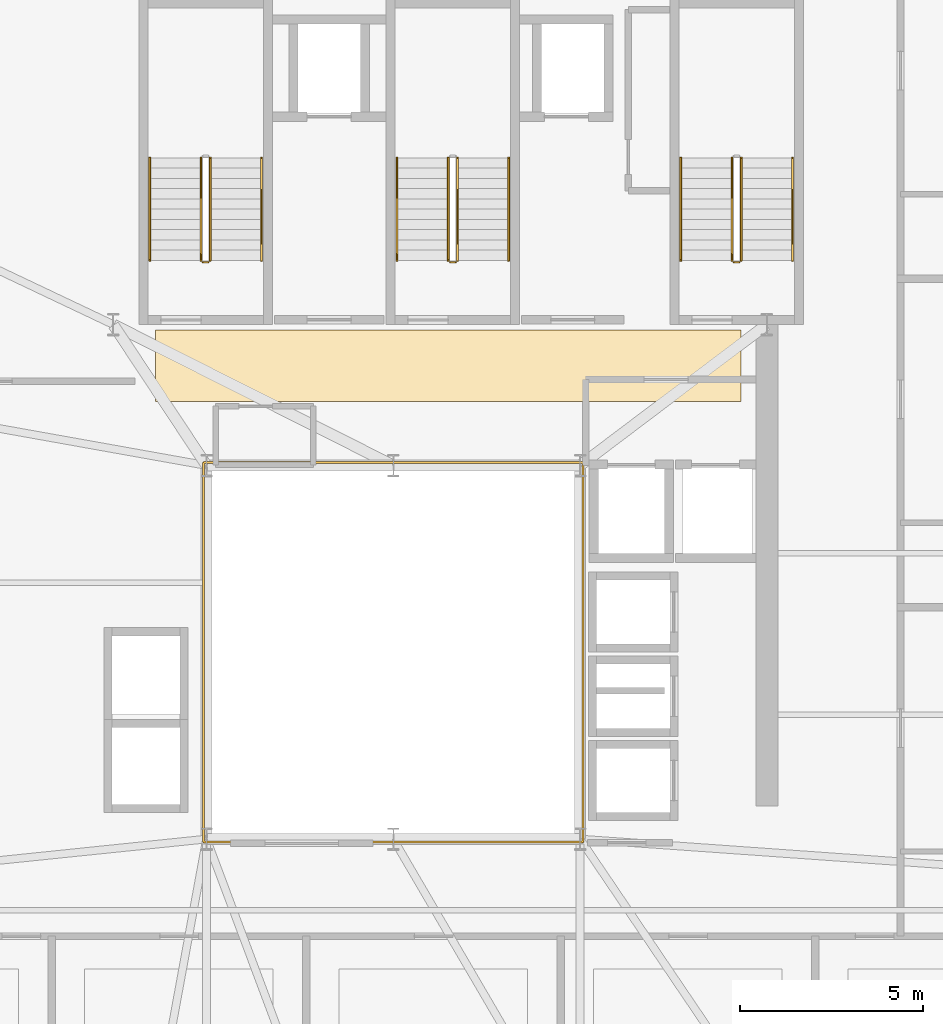
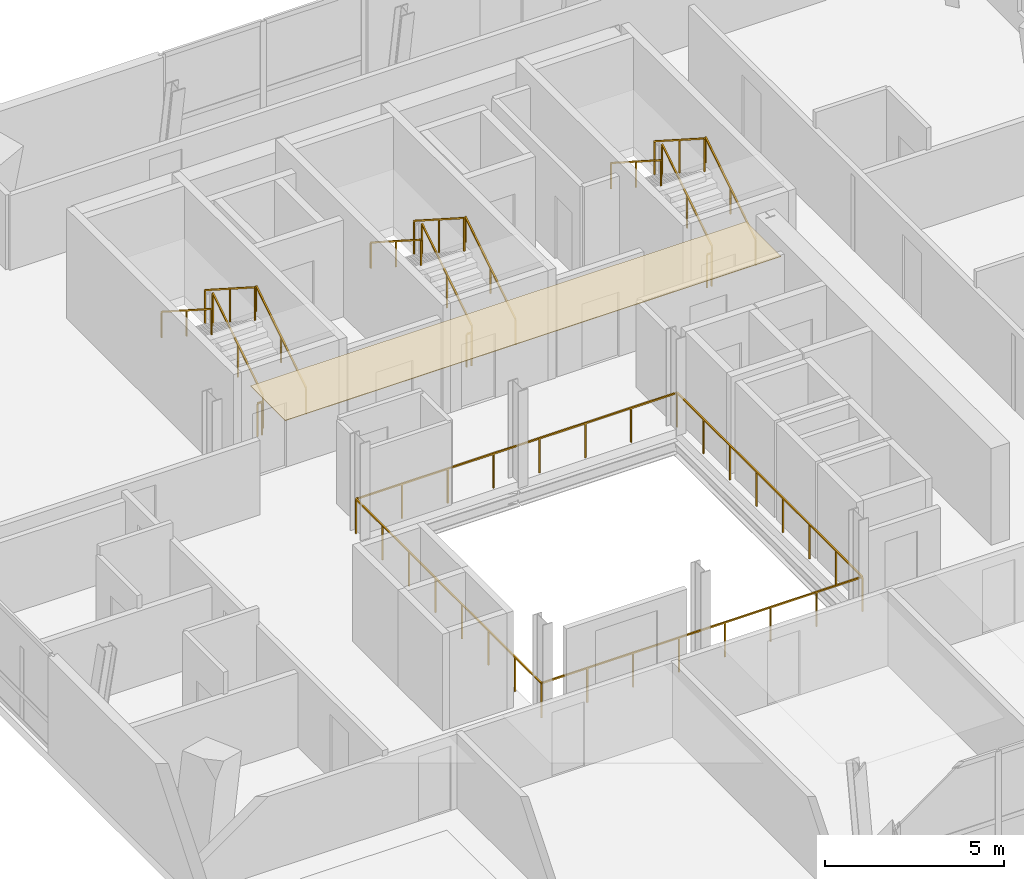
# One storey, part 11 of 13: 16 railings, 1 covering.
"""IFC4 building model written with IfcOpenShell, lengths in metres."""

from ifc_helpers import new_model, si_unit, direction, frame, origin, origin_2d, place, context, subcontext, project, spatial, polyline, rectangle, outline, extrude, source, transform, mapped, material, layer, layer_set, type_object, element, save


model = new_model("IFC4")

# Units and contexts
model_context = context("Model", 3, precision=1e-05, world=origin(), true_north=direction((0.0, 1.0)))
body_context = subcontext(model_context, "Body", "Model", "MODEL_VIEW")
ifc_project = project(units=[si_unit("LENGTHUNIT", "METRE"), si_unit("AREAUNIT", "SQUARE_METRE"), si_unit("VOLUMEUNIT", "CUBIC_METRE"), si_unit("PLANEANGLEUNIT", "RADIAN"), si_unit("MASSUNIT", "GRAM", prefix="KILO")], contexts=[model_context])

# Site, building, storey
site_placement = place(None, origin())
site = spatial("IfcSite", under=ifc_project, at=site_placement, CompositionType="ELEMENT")
building_placement = place(site_placement, origin())
building = spatial("IfcBuilding", under=site, at=building_placement, Name="Vardaveli Station Tower", CompositionType="ELEMENT")
storey_placement = place(building_placement, frame((0.0, 0.0, 274.300048828125)))
storey = spatial("IfcBuildingStorey", under=building, at=storey_placement, Name="L70", CompositionType="ELEMENT", Elevation=274.300048828125)

# Covering
ifc_material_1 = material(Name="Perforated acoustic mineral ceiling")
ifc_layer = layer(ifc_material_1, 0.02001953125, Name="Perforated acoustic mineral ceiling")
ifc_layer_set = layer_set([ifc_layer], Name="Perforated acoustic mineral ceiling")
covering_type = type_object("IfcCoveringType", Name="COV-CEIL-AC20", PredefinedType="CEILING", material=ifc_layer_set)
covering_placement = place(storey_placement, frame((0.0, 0.0, 3.284912109375)))
element("IfcCovering", 1, at=covering_placement, inside=storey, type_object=covering_type, Name="CEIL-L70-6", PredefinedType="CEILING", context=body_context, shape_type="SweptSolid", body=[
    extrude(outline(polyline([(29.800048828125, 28.550048828125), (45.800048828125, 28.550048828125), (45.800048828125, 30.5), (29.800048828125, 30.5), (29.800048828125, 28.550048828125)])), origin(), (0.0, 0.0, 1.0), 0.02001953125),
])

# Railings
ifc_material_2 = material(Name="Brushed AISI 316 stainless steel", Category="steel")
railing_type_1 = type_object("IfcRailingType", Name="RL-GUARD-1150", PredefinedType="GUARDRAIL", material=ifc_material_2)
shared_shape_1 = source(origin(), body_context, "Body", "SweptSolid", [
    extrude(rectangle(XDim=0.048095703125, YDim=0.048095703125, at=origin_2d()), frame((0.0, 0.0, 1.1259765625), z_axis=(-1.0, 0.0, 0.0), x_axis=(0.0, -1.0, 0.0)), (0.0, 0.0, 1.0), 0.14990234375),
    extrude(rectangle(XDim=0.0419921875, YDim=0.0419921875, at=origin_2d()), origin(), (0.0, 0.0, 1.0), 1.101806640625),
    extrude(rectangle(XDim=0.0419921875, YDim=0.0419921875, at=origin_2d()), frame((-0.14990234375, 0.0, 0.0)), (0.0, 0.0, 1.0), 1.101806640625),
])
for number, where, name in (
    (2, (31.25, 32.35009765625, 0.0), "L70 ST-1 stair guard 4"),
    (3, (38.0, 32.35009765625, 0.0), "L70 ST-2 stair guard 4"),
    (4, (45.75, 32.35009765625, 0.0), "L70 ST-3 stair guard 4"),
):
    element("IfcRailing", number, at=place(storey_placement, frame(where)), inside=storey, type_object=railing_type_1, Name=name, PredefinedType="GUARDRAIL", context=body_context, shape_type="MappedRepresentation", body=[
        mapped(shared_shape_1, transform((0.0, 0.0, 0.0), scale=1.0)),
    ])
shared_shape_2 = source(origin(), body_context, "Body", "SweptSolid", [
    extrude(rectangle(XDim=0.048095703125, YDim=0.048095703125, at=origin_2d()), frame((0.0, 0.0, 1.1259765625), z_axis=(0.0, 0.841809871826, 0.539774156196), x_axis=(-1.0, 0.0, 0.0)), (0.0, 0.0, 1.0), 3.326171875),
    extrude(rectangle(XDim=0.0419921875, YDim=0.0419921875, at=origin_2d()), origin(), (0.0, 0.0, 1.0), 1.101806640625),
    extrude(rectangle(XDim=0.0419921875, YDim=0.0419921875, at=origin_2d()), frame((0.0, 1.39990234375, 0.897705078125)), (0.0, 0.0, 1.0), 1.101806640625),
    extrude(rectangle(XDim=0.0419921875, YDim=0.0419921875, at=origin_2d()), frame((0.0, 2.800048828125, 1.79541015625)), (0.0, 0.0, 1.0), 1.101806640625),
])
for number, where, name in (
    (5, (31.300048828125, 32.39990234375, 0.179443359375), "L70 ST-1 stair guard 1"),
    (6, (38.050048828125, 32.39990234375, 0.179443359375), "L70 ST-2 stair guard 1"),
    (7, (45.800048828125, 32.39990234375, 0.179443359375), "L70 ST-3 stair guard 1"),
):
    element("IfcRailing", number, at=place(storey_placement, frame(where)), inside=storey, type_object=railing_type_1, Name=name, PredefinedType="GUARDRAIL", context=body_context, shape_type="MappedRepresentation", body=[
        mapped(shared_shape_2, transform((0.0, 0.0, 0.0), scale=1.0)),
    ])
shared_shape_3 = source(origin(), body_context, "Body", "SweptSolid", [
    extrude(rectangle(XDim=0.048095703125, YDim=0.048095703125, at=origin_2d()), frame((0.0, 0.0, 1.1259765625), z_axis=(0.0, -0.841809871826, 0.539774156196), x_axis=(1.0, 0.0, 0.0)), (0.0, 0.0, 1.0), 3.326171875),
    extrude(rectangle(XDim=0.0419921875, YDim=0.0419921875, at=origin_2d()), origin(), (0.0, 0.0, 1.0), 1.101806640625),
    extrude(rectangle(XDim=0.0419921875, YDim=0.0419921875, at=origin_2d()), frame((0.0, -1.39990234375, 0.897705078125)), (0.0, 0.0, 1.0), 1.101806640625),
    extrude(rectangle(XDim=0.0419921875, YDim=0.0419921875, at=origin_2d()), frame((0.0, -2.800048828125, 1.79541015625)), (0.0, 0.0, 1.0), 1.101806640625),
])
for number, where, name in (
    (8, (31.050048828125, 35.199951171875, 2.154541015625), "L70 ST-1 stair guard 3"),
    (9, (37.800048828125, 35.199951171875, 2.154541015625), "L70 ST-2 stair guard 3"),
    (10, (45.550048828125, 35.199951171875, 2.154541015625), "L70 ST-3 stair guard 3"),
):
    element("IfcRailing", number, at=place(storey_placement, frame(where)), inside=storey, type_object=railing_type_1, Name=name, PredefinedType="GUARDRAIL", context=body_context, shape_type="MappedRepresentation", body=[
        mapped(shared_shape_3, transform((0.0, 0.0, 0.0), scale=1.0)),
    ])
railing_type_2 = type_object("IfcRailingType", Name="RL-HAND-900", PredefinedType="HANDRAIL", material=ifc_material_2)
shared_shape_4 = source(origin(), body_context, "Body", "SweptSolid", [
    extrude(rectangle(XDim=0.048095703125, YDim=0.048095703125, at=origin_2d()), frame((0.0, 0.0, 0.8759765625), z_axis=(0.0, 0.841809871826, 0.539774156196), x_axis=(-1.0, 0.0, 0.0)), (0.0, 0.0, 1.0), 3.326171875),
    extrude(rectangle(XDim=0.0419921875, YDim=0.0419921875, at=origin_2d()), origin(), (0.0, 0.0, 1.0), 0.851806640625),
    extrude(rectangle(XDim=0.0419921875, YDim=0.0419921875, at=origin_2d()), frame((0.0, 1.39990234375, 0.897705078125)), (0.0, 0.0, 1.0), 0.851806640625),
    extrude(rectangle(XDim=0.0419921875, YDim=0.0419921875, at=origin_2d()), frame((0.0, 2.800048828125, 1.79541015625)), (0.0, 0.0, 1.0), 0.851806640625),
])
for number, where, name in (
    (11, (32.699951171875, 32.39990234375, 0.179443359375), "L70 ST-1 stair handrail 1"),
    (12, (39.449951171875, 32.39990234375, 0.179443359375), "L70 ST-2 stair handrail 1"),
    (13, (47.199951171875, 32.39990234375, 0.179443359375), "L70 ST-3 stair handrail 1"),
):
    element("IfcRailing", number, at=place(storey_placement, frame(where)), inside=storey, type_object=railing_type_2, Name=name, PredefinedType="HANDRAIL", context=body_context, shape_type="MappedRepresentation", body=[
        mapped(shared_shape_4, transform((0.0, 0.0, 0.0), scale=1.0)),
    ])
shared_shape_5 = source(origin(), body_context, "Body", "SweptSolid", [
    extrude(rectangle(XDim=0.048095703125, YDim=0.048095703125, at=origin_2d()), frame((0.0, 0.0, 0.8759765625), z_axis=(0.0, -0.841809871826, 0.539774156196), x_axis=(1.0, 0.0, 0.0)), (0.0, 0.0, 1.0), 3.326171875),
    extrude(rectangle(XDim=0.0419921875, YDim=0.0419921875, at=origin_2d()), origin(), (0.0, 0.0, 1.0), 0.851806640625),
    extrude(rectangle(XDim=0.0419921875, YDim=0.0419921875, at=origin_2d()), frame((0.0, -1.39990234375, 0.897705078125)), (0.0, 0.0, 1.0), 0.851806640625),
    extrude(rectangle(XDim=0.0419921875, YDim=0.0419921875, at=origin_2d()), frame((0.0, -2.800048828125, 1.79541015625)), (0.0, 0.0, 1.0), 0.851806640625),
])
for number, where, name in (
    (14, (29.64990234375, 35.199951171875, 2.154541015625), "L70 ST-1 stair handrail 2"),
    (15, (36.39990234375, 35.199951171875, 2.154541015625), "L70 ST-2 stair handrail 2"),
    (16, (44.14990234375, 35.199951171875, 2.154541015625), "L70 ST-3 stair handrail 2"),
):
    element("IfcRailing", number, at=place(storey_placement, frame(where)), inside=storey, type_object=railing_type_2, Name=name, PredefinedType="HANDRAIL", context=body_context, shape_type="MappedRepresentation", body=[
        mapped(shared_shape_5, transform((0.0, 0.0, 0.0), scale=1.0)),
    ])
ifc_material_3 = material(Name="Laminated glass and stainless steel balustrade", Category="steel")
railing_type_3 = type_object("IfcRailingType", Name="RL-BAL-1200", PredefinedType="BALUSTRADE", material=ifc_material_3)
shared_shape_6 = source(origin(), body_context, "Body", "SweptSolid", [
    extrude(rectangle(XDim=0.048095703125, YDim=0.048095703125, at=origin_2d()), frame((0.0, 0.0, 1.17578125), z_axis=(1.0, 0.0, 0.0), x_axis=(0.0, 1.0, 0.0)), (0.0, 0.0, 1.0), 10.35986328125),
    extrude(rectangle(XDim=0.048095703125, YDim=0.048095703125, at=origin_2d()), frame((10.35986328125, 0.0, 1.17578125), z_axis=(0.0, 1.0, 0.0), x_axis=(-1.0, 0.0, 0.0)), (0.0, 0.0, 1.0), 10.35986328125),
    extrude(rectangle(XDim=0.048095703125, YDim=0.048095703125, at=origin_2d()), frame((10.35986328125, 10.35986328125, 1.17578125), z_axis=(-1.0, 0.0, 0.0), x_axis=(0.0, -1.0, 0.0)), (0.0, 0.0, 1.0), 10.35986328125),
    extrude(rectangle(XDim=0.048095703125, YDim=0.048095703125, at=origin_2d()), frame((0.0, 10.35986328125, 1.17578125), z_axis=(0.0, -1.0, 0.0), x_axis=(1.0, 0.0, 0.0)), (0.0, 0.0, 1.0), 10.35986328125),
    extrude(rectangle(XDim=0.0419921875, YDim=0.0419921875, at=origin_2d()), origin(), (0.0, 0.0, 1.0), 1.15185546875),
    extrude(rectangle(XDim=0.0419921875, YDim=0.0419921875, at=origin_2d()), frame((1.47998046875, 0.0, 0.0)), (0.0, 0.0, 1.0), 1.15185546875),
    extrude(rectangle(XDim=0.0419921875, YDim=0.0419921875, at=origin_2d()), frame((2.9599609375, 0.0, 0.0)), (0.0, 0.0, 1.0), 1.15185546875),
    extrude(rectangle(XDim=0.0419921875, YDim=0.0419921875, at=origin_2d()), frame((4.43994140625, 0.0, 0.0)), (0.0, 0.0, 1.0), 1.15185546875),
    extrude(rectangle(XDim=0.0419921875, YDim=0.0419921875, at=origin_2d()), frame((5.919921875, 0.0, 0.0)), (0.0, 0.0, 1.0), 1.15185546875),
    extrude(rectangle(XDim=0.0419921875, YDim=0.0419921875, at=origin_2d()), frame((7.39990234375, 0.0, 0.0)), (0.0, 0.0, 1.0), 1.15185546875),
    extrude(rectangle(XDim=0.0419921875, YDim=0.0419921875, at=origin_2d()), frame((8.8798828125, 0.0, 0.0)), (0.0, 0.0, 1.0), 1.15185546875),
    extrude(rectangle(XDim=0.0419921875, YDim=0.0419921875, at=origin_2d()), frame((10.35986328125, 0.0, 0.0)), (0.0, 0.0, 1.0), 1.15185546875),
    extrude(rectangle(XDim=0.0419921875, YDim=0.0419921875, at=origin_2d()), frame((10.35986328125, 1.47998046875, 0.0)), (0.0, 0.0, 1.0), 1.15185546875),
    extrude(rectangle(XDim=0.0419921875, YDim=0.0419921875, at=origin_2d()), frame((10.35986328125, 2.9599609375, 0.0)), (0.0, 0.0, 1.0), 1.15185546875),
    extrude(rectangle(XDim=0.0419921875, YDim=0.0419921875, at=origin_2d()), frame((10.35986328125, 4.43994140625, 0.0)), (0.0, 0.0, 1.0), 1.15185546875),
    extrude(rectangle(XDim=0.0419921875, YDim=0.0419921875, at=origin_2d()), frame((10.35986328125, 5.919921875, 0.0)), (0.0, 0.0, 1.0), 1.15185546875),
    extrude(rectangle(XDim=0.0419921875, YDim=0.0419921875, at=origin_2d()), frame((10.35986328125, 7.39990234375, 0.0)), (0.0, 0.0, 1.0), 1.15185546875),
    extrude(rectangle(XDim=0.0419921875, YDim=0.0419921875, at=origin_2d()), frame((10.35986328125, 8.8798828125, 0.0)), (0.0, 0.0, 1.0), 1.15185546875),
    extrude(rectangle(XDim=0.0419921875, YDim=0.0419921875, at=origin_2d()), frame((10.35986328125, 10.35986328125, 0.0)), (0.0, 0.0, 1.0), 1.15185546875),
    extrude(rectangle(XDim=0.0419921875, YDim=0.0419921875, at=origin_2d()), frame((8.8798828125, 10.35986328125, 0.0)), (0.0, 0.0, 1.0), 1.15185546875),
    extrude(rectangle(XDim=0.0419921875, YDim=0.0419921875, at=origin_2d()), frame((7.39990234375, 10.35986328125, 0.0)), (0.0, 0.0, 1.0), 1.15185546875),
    extrude(rectangle(XDim=0.0419921875, YDim=0.0419921875, at=origin_2d()), frame((5.919921875, 10.35986328125, 0.0)), (0.0, 0.0, 1.0), 1.15185546875),
    extrude(rectangle(XDim=0.0419921875, YDim=0.0419921875, at=origin_2d()), frame((4.43994140625, 10.35986328125, 0.0)), (0.0, 0.0, 1.0), 1.15185546875),
    extrude(rectangle(XDim=0.0419921875, YDim=0.0419921875, at=origin_2d()), frame((2.9599609375, 10.35986328125, 0.0)), (0.0, 0.0, 1.0), 1.15185546875),
    extrude(rectangle(XDim=0.0419921875, YDim=0.0419921875, at=origin_2d()), frame((1.47998046875, 10.35986328125, 0.0)), (0.0, 0.0, 1.0), 1.15185546875),
    extrude(rectangle(XDim=0.0419921875, YDim=0.0419921875, at=origin_2d()), frame((0.0, 10.35986328125, 0.0)), (0.0, 0.0, 1.0), 1.15185546875),
    extrude(rectangle(XDim=0.0419921875, YDim=0.0419921875, at=origin_2d()), frame((0.0, 8.8798828125, 0.0)), (0.0, 0.0, 1.0), 1.15185546875),
    extrude(rectangle(XDim=0.0419921875, YDim=0.0419921875, at=origin_2d()), frame((0.0, 7.39990234375, 0.0)), (0.0, 0.0, 1.0), 1.15185546875),
    extrude(rectangle(XDim=0.0419921875, YDim=0.0419921875, at=origin_2d()), frame((0.0, 5.919921875, 0.0)), (0.0, 0.0, 1.0), 1.15185546875),
    extrude(rectangle(XDim=0.0419921875, YDim=0.0419921875, at=origin_2d()), frame((0.0, 4.43994140625, 0.0)), (0.0, 0.0, 1.0), 1.15185546875),
    extrude(rectangle(XDim=0.0419921875, YDim=0.0419921875, at=origin_2d()), frame((0.0, 2.9599609375, 0.0)), (0.0, 0.0, 1.0), 1.15185546875),
    extrude(rectangle(XDim=0.0419921875, YDim=0.0419921875, at=origin_2d()), frame((0.0, 1.47998046875, 0.0)), (0.0, 0.0, 1.0), 1.15185546875),
])
railing_placement = place(storey_placement, frame((31.1201171875, 16.52001953125, 0.0)))
element("IfcRailing", 17, at=railing_placement, inside=storey, type_object=railing_type_3, Name="RL-ATR-L70", PredefinedType="BALUSTRADE", context=body_context, shape_type="MappedRepresentation", body=[
    mapped(shared_shape_6, transform((0.0, 0.0, 0.0), scale=1.0)),
])

save(model, "model.ifc")
